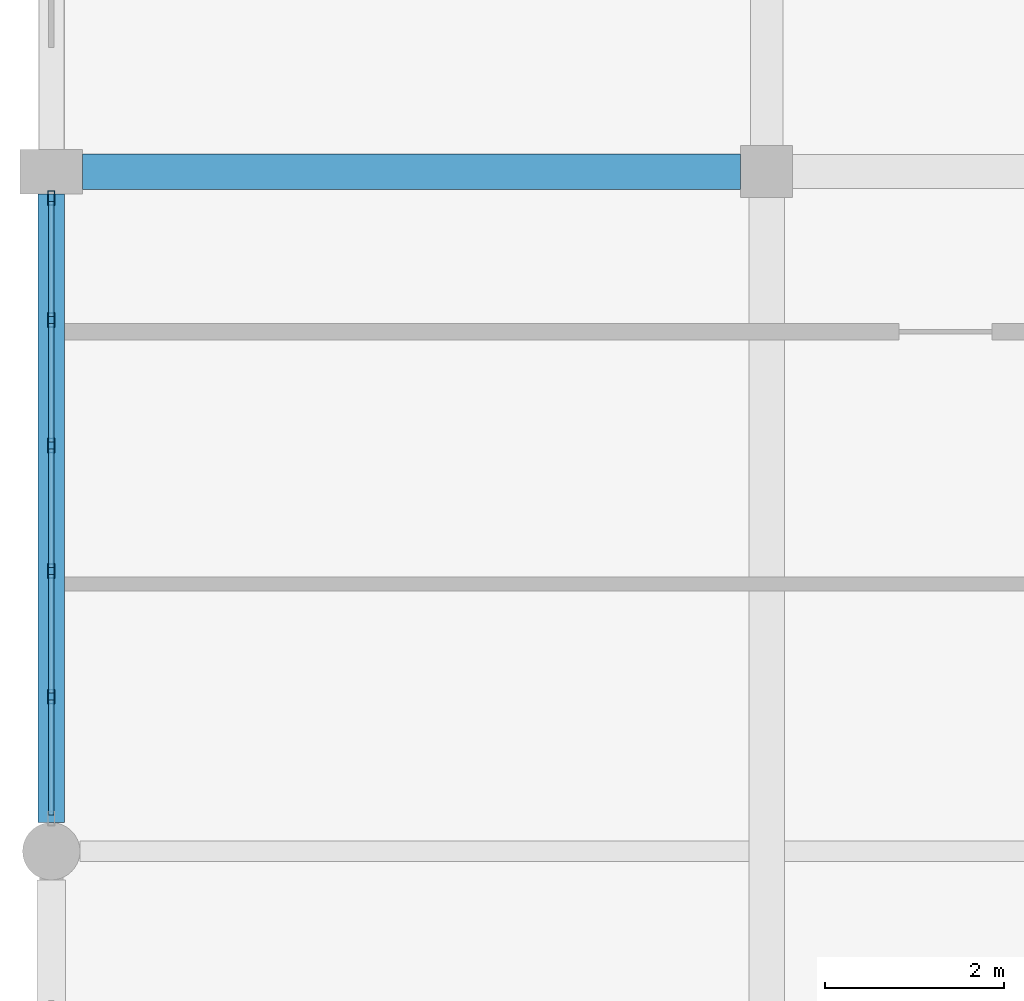
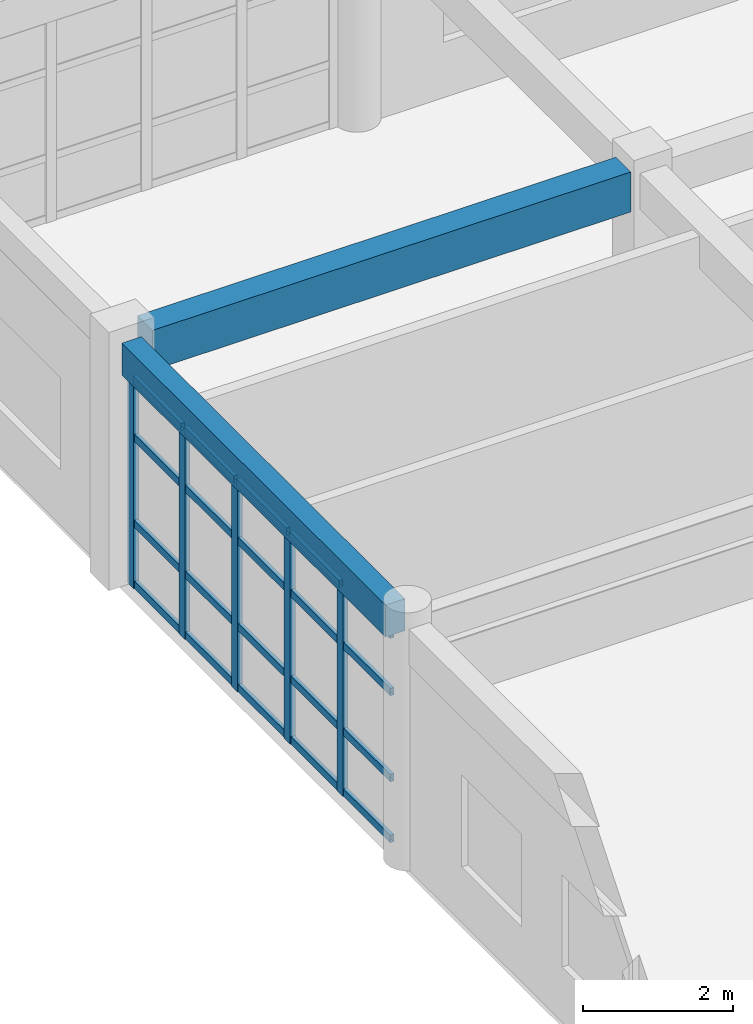
# One storey, part 13 of 121: 25 members, 2 beams, 1 element without a shape of its own.
"""IFC4 building model written with IfcOpenShell, lengths in metres."""

from ifc_helpers import new_model, si_unit, direction, frame, origin, origin_2d, place, context, subcontext, project, spatial, rectangle, hollow_rectangle, extrude, material, material_profile, profile_set, type_object, element, aggregate, save


model = new_model("IFC4")

# Units and contexts
model_context = context("Model", 3, precision=1e-05, world=origin(), true_north=direction((0.0, 1.0)))
body_context = subcontext(model_context, "Body", "Model", "MODEL_VIEW")
ifc_project = project(units=[si_unit("LENGTHUNIT", "METRE"), si_unit("AREAUNIT", "SQUARE_METRE"), si_unit("VOLUMEUNIT", "CUBIC_METRE"), si_unit("PLANEANGLEUNIT", "RADIAN"), si_unit("MASSUNIT", "GRAM", prefix="KILO")], contexts=[model_context])

# Site, building, storey
site_placement = place(None, origin())
site = spatial("IfcSite", under=ifc_project, at=site_placement, CompositionType="ELEMENT")
building_placement = place(site_placement, origin())
building = spatial("IfcBuilding", under=site, at=building_placement, Name="Kharva Crest Polytechnic", CompositionType="ELEMENT")
storey_placement = place(building_placement, frame((0.0, 0.0, 13.199951171875)))
storey = spatial("IfcBuildingStorey", under=building, at=storey_placement, Name="L03", CompositionType="ELEMENT", Elevation=13.199951171875)

# Beam
ifc_material_1 = material(Name="Concrete C35/45", Category="concrete")
ifc_material_profile_1 = material_profile(ifc_material_1, rectangle(XDim=0.39990234375, YDim=0.64990234375, at=origin_2d()), Name="RECT 400 X 650")
ifc_profile_set_1 = profile_set([ifc_material_profile_1], Name="Concrete C35/45")
beam_type_1 = type_object("IfcBeamType", Name="BM-RC-400X650", PredefinedType="BEAM", material=ifc_profile_set_1)
beam_1_placement = place(storey_placement, frame((0.35009765625, 22.800048828125, 3.635009765625), z_axis=(1.0, 0.0, 0.0), x_axis=(0.0, 1.0, 0.0)))
element("IfcBeam", 1, at=beam_1_placement, inside=storey, type_object=beam_type_1, Name="L03 Beam D/1-2", PredefinedType="BEAM", context=body_context, shape_type="SweptSolid", body=[
    extrude(rectangle(XDim=0.39990234375, YDim=0.64990234375, at=origin_2d()), origin(), (0.0, 0.0, 1.0), 7.35986328125),
])

# Curtain wall, members
ifc_material_2 = material(Name="Tempered insulated glass", Category="glass")
curtain_wall_type = type_object("IfcCurtainWallType", Name="CW-SYS-COURT", PredefinedType="USERDEFINED", material=ifc_material_2)
curtain_wall_placement = place(storey_placement, origin())
curtain_wall = element("IfcCurtainWall", 2, at=curtain_wall_placement, inside=storey, type_object=curtain_wall_type, Name="L03 Glazed Curtain Wall CW-133", ObjectType="CURTAIN WALL", PredefinedType="USERDEFINED")
ifc_material_3 = material(Name="Steel S355", Category="steel")
ifc_material_profile_2 = material_profile(ifc_material_3, hollow_rectangle(XDim=0.080078125, YDim=0.159912109375, WallThickness=0.0048828125, at=origin_2d()), Name="RHS 160X80X5.0")
ifc_profile_set_2 = profile_set([ifc_material_profile_2], Name="Steel S355")
member_type_1 = type_object("IfcMemberType", Name="CWM-RHS160X80", PredefinedType="MULLION", material=ifc_profile_set_2)
member_1_placement = place(storey_placement, frame((0.0, 22.5048828125, 0.0), z_axis=(0.0, 0.0, 1.0), x_axis=(1.0, 0.0, 0.0)))
member_1 = element("IfcMember", 3, at=member_1_placement, type_object=member_type_1, Name="CW-133 mullion 1", PredefinedType="MULLION", context=body_context, shape_type="SweptSolid", body=[
    extrude(hollow_rectangle(XDim=0.080078125, YDim=0.159912109375, WallThickness=0.0048828125, at=origin_2d()), origin(), (0.0, 0.0, 1.0), 3.43994140625),
])
member_2_placement = place(storey_placement, frame((0.0, 21.14111328125, 0.0), z_axis=(0.0, 0.0, 1.0), x_axis=(1.0, 0.0, 0.0)))
member_2 = element("IfcMember", 4, at=member_2_placement, type_object=member_type_1, Name="CW-133 mullion 2", PredefinedType="MULLION", context=body_context, shape_type="SweptSolid", body=[
    extrude(hollow_rectangle(XDim=0.080078125, YDim=0.159912109375, WallThickness=0.0048828125, at=origin_2d()), origin(), (0.0, 0.0, 1.0), 3.43994140625),
])
member_3_placement = place(storey_placement, frame((0.0, 19.737060546875, 0.0), z_axis=(0.0, 0.0, 1.0), x_axis=(1.0, 0.0, 0.0)))
member_3 = element("IfcMember", 5, at=member_3_placement, type_object=member_type_1, Name="CW-133 mullion 3", PredefinedType="MULLION", context=body_context, shape_type="SweptSolid", body=[
    extrude(hollow_rectangle(XDim=0.080078125, YDim=0.159912109375, WallThickness=0.0048828125, at=origin_2d()), origin(), (0.0, 0.0, 1.0), 3.43994140625),
])
member_4_placement = place(storey_placement, frame((0.0, 18.3330078125, 0.0), z_axis=(0.0, 0.0, 1.0), x_axis=(1.0, 0.0, 0.0)))
member_4 = element("IfcMember", 6, at=member_4_placement, type_object=member_type_1, Name="CW-133 mullion 4", PredefinedType="MULLION", context=body_context, shape_type="SweptSolid", body=[
    extrude(hollow_rectangle(XDim=0.080078125, YDim=0.159912109375, WallThickness=0.0048828125, at=origin_2d()), origin(), (0.0, 0.0, 1.0), 3.43994140625),
])
member_5_placement = place(storey_placement, frame((0.0, 16.928955078125, 0.0), z_axis=(0.0, 0.0, 1.0), x_axis=(1.0, 0.0, 0.0)))
member_5 = element("IfcMember", 7, at=member_5_placement, type_object=member_type_1, Name="CW-133 mullion 5", PredefinedType="MULLION", context=body_context, shape_type="SweptSolid", body=[
    extrude(hollow_rectangle(XDim=0.080078125, YDim=0.159912109375, WallThickness=0.0048828125, at=origin_2d()), origin(), (0.0, 0.0, 1.0), 3.43994140625),
])
ifc_material_profile_3 = material_profile(ifc_material_3, hollow_rectangle(XDim=0.06005859375, YDim=0.1201171875, WallThickness=0.00390625, at=origin_2d()), Name="RHS 120X60X4.0")
ifc_profile_set_3 = profile_set([ifc_material_profile_3], Name="Steel S355")
member_type_2 = type_object("IfcMemberType", Name="CWT-RHS120X60", PredefinedType="USERDEFINED", material=ifc_profile_set_3)
member_6_placement = place(storey_placement, frame((0.0, 22.465087890625, 0.06005859375), z_axis=(0.0, -1.0, 0.0), x_axis=(1.0, 0.0, 0.0)))
member_6 = element("IfcMember", 8, at=member_6_placement, type_object=member_type_2, Name="CW-133 transom 1.1", ObjectType="TRANSOM", PredefinedType="USERDEFINED", context=body_context, shape_type="SweptSolid", body=[
    extrude(hollow_rectangle(XDim=0.06005859375, YDim=0.1201171875, WallThickness=0.00390625, at=origin_2d()), origin(), (0.0, 0.0, 1.0), 1.2841796875),
])
member_7_placement = place(storey_placement, frame((0.0, 22.465087890625, 1.050048828125), z_axis=(0.0, -1.0, 0.0), x_axis=(1.0, 0.0, 0.0)))
member_7 = element("IfcMember", 9, at=member_7_placement, type_object=member_type_2, Name="CW-133 transom 1.2", ObjectType="TRANSOM", PredefinedType="USERDEFINED", context=body_context, shape_type="SweptSolid", body=[
    extrude(hollow_rectangle(XDim=0.06005859375, YDim=0.1201171875, WallThickness=0.00390625, at=origin_2d()), origin(), (0.0, 0.0, 1.0), 1.2841796875),
])
member_8_placement = place(storey_placement, frame((0.0, 22.465087890625, 2.449951171875), z_axis=(0.0, -1.0, 0.0), x_axis=(1.0, 0.0, 0.0)))
member_8 = element("IfcMember", 10, at=member_8_placement, type_object=member_type_2, Name="CW-133 transom 1.3", ObjectType="TRANSOM", PredefinedType="USERDEFINED", context=body_context, shape_type="SweptSolid", body=[
    extrude(hollow_rectangle(XDim=0.06005859375, YDim=0.1201171875, WallThickness=0.00390625, at=origin_2d()), origin(), (0.0, 0.0, 1.0), 1.2841796875),
])
member_9_placement = place(storey_placement, frame((0.0, 22.465087890625, 3.380126953125), z_axis=(0.0, -1.0, 0.0), x_axis=(1.0, 0.0, 0.0)))
member_9 = element("IfcMember", 11, at=member_9_placement, type_object=member_type_2, Name="CW-133 transom 1.4", ObjectType="TRANSOM", PredefinedType="USERDEFINED", context=body_context, shape_type="SweptSolid", body=[
    extrude(hollow_rectangle(XDim=0.06005859375, YDim=0.1201171875, WallThickness=0.00390625, at=origin_2d()), origin(), (0.0, 0.0, 1.0), 1.2841796875),
])
member_10_placement = place(storey_placement, frame((0.0, 21.10107421875, 0.06005859375), z_axis=(0.0, -1.0, 0.0), x_axis=(1.0, 0.0, 0.0)))
member_10 = element("IfcMember", 12, at=member_10_placement, type_object=member_type_2, Name="CW-133 transom 2.1", ObjectType="TRANSOM", PredefinedType="USERDEFINED", context=body_context, shape_type="SweptSolid", body=[
    extrude(hollow_rectangle(XDim=0.06005859375, YDim=0.1201171875, WallThickness=0.00390625, at=origin_2d()), origin(), (0.0, 0.0, 1.0), 1.323974609375),
])
member_11_placement = place(storey_placement, frame((0.0, 21.10107421875, 1.050048828125), z_axis=(0.0, -1.0, 0.0), x_axis=(1.0, 0.0, 0.0)))
member_11 = element("IfcMember", 13, at=member_11_placement, type_object=member_type_2, Name="CW-133 transom 2.2", ObjectType="TRANSOM", PredefinedType="USERDEFINED", context=body_context, shape_type="SweptSolid", body=[
    extrude(hollow_rectangle(XDim=0.06005859375, YDim=0.1201171875, WallThickness=0.00390625, at=origin_2d()), origin(), (0.0, 0.0, 1.0), 1.323974609375),
])
member_12_placement = place(storey_placement, frame((0.0, 21.10107421875, 2.449951171875), z_axis=(0.0, -1.0, 0.0), x_axis=(1.0, 0.0, 0.0)))
member_12 = element("IfcMember", 14, at=member_12_placement, type_object=member_type_2, Name="CW-133 transom 2.3", ObjectType="TRANSOM", PredefinedType="USERDEFINED", context=body_context, shape_type="SweptSolid", body=[
    extrude(hollow_rectangle(XDim=0.06005859375, YDim=0.1201171875, WallThickness=0.00390625, at=origin_2d()), origin(), (0.0, 0.0, 1.0), 1.323974609375),
])
member_13_placement = place(storey_placement, frame((0.0, 21.10107421875, 3.380126953125), z_axis=(0.0, -1.0, 0.0), x_axis=(1.0, 0.0, 0.0)))
member_13 = element("IfcMember", 15, at=member_13_placement, type_object=member_type_2, Name="CW-133 transom 2.4", ObjectType="TRANSOM", PredefinedType="USERDEFINED", context=body_context, shape_type="SweptSolid", body=[
    extrude(hollow_rectangle(XDim=0.06005859375, YDim=0.1201171875, WallThickness=0.00390625, at=origin_2d()), origin(), (0.0, 0.0, 1.0), 1.323974609375),
])
member_14_placement = place(storey_placement, frame((0.0, 19.697021484375, 0.06005859375), z_axis=(0.0, -1.0, 0.0), x_axis=(1.0, 0.0, 0.0)))
member_14 = element("IfcMember", 16, at=member_14_placement, type_object=member_type_2, Name="CW-133 transom 3.1", ObjectType="TRANSOM", PredefinedType="USERDEFINED", context=body_context, shape_type="SweptSolid", body=[
    extrude(hollow_rectangle(XDim=0.06005859375, YDim=0.1201171875, WallThickness=0.00390625, at=origin_2d()), origin(), (0.0, 0.0, 1.0), 1.323974609375),
])
member_15_placement = place(storey_placement, frame((0.0, 19.697021484375, 1.050048828125), z_axis=(0.0, -1.0, 0.0), x_axis=(1.0, 0.0, 0.0)))
member_15 = element("IfcMember", 17, at=member_15_placement, type_object=member_type_2, Name="CW-133 transom 3.2", ObjectType="TRANSOM", PredefinedType="USERDEFINED", context=body_context, shape_type="SweptSolid", body=[
    extrude(hollow_rectangle(XDim=0.06005859375, YDim=0.1201171875, WallThickness=0.00390625, at=origin_2d()), origin(), (0.0, 0.0, 1.0), 1.323974609375),
])
member_16_placement = place(storey_placement, frame((0.0, 19.697021484375, 2.449951171875), z_axis=(0.0, -1.0, 0.0), x_axis=(1.0, 0.0, 0.0)))
member_16 = element("IfcMember", 18, at=member_16_placement, type_object=member_type_2, Name="CW-133 transom 3.3", ObjectType="TRANSOM", PredefinedType="USERDEFINED", context=body_context, shape_type="SweptSolid", body=[
    extrude(hollow_rectangle(XDim=0.06005859375, YDim=0.1201171875, WallThickness=0.00390625, at=origin_2d()), origin(), (0.0, 0.0, 1.0), 1.323974609375),
])
member_17_placement = place(storey_placement, frame((0.0, 19.697021484375, 3.380126953125), z_axis=(0.0, -1.0, 0.0), x_axis=(1.0, 0.0, 0.0)))
member_17 = element("IfcMember", 19, at=member_17_placement, type_object=member_type_2, Name="CW-133 transom 3.4", ObjectType="TRANSOM", PredefinedType="USERDEFINED", context=body_context, shape_type="SweptSolid", body=[
    extrude(hollow_rectangle(XDim=0.06005859375, YDim=0.1201171875, WallThickness=0.00390625, at=origin_2d()), origin(), (0.0, 0.0, 1.0), 1.323974609375),
])
member_18_placement = place(storey_placement, frame((0.0, 18.29296875, 0.06005859375), z_axis=(0.0, -1.0, 0.0), x_axis=(1.0, 0.0, 0.0)))
member_18 = element("IfcMember", 20, at=member_18_placement, type_object=member_type_2, Name="CW-133 transom 4.1", ObjectType="TRANSOM", PredefinedType="USERDEFINED", context=body_context, shape_type="SweptSolid", body=[
    extrude(hollow_rectangle(XDim=0.06005859375, YDim=0.1201171875, WallThickness=0.00390625, at=origin_2d()), origin(), (0.0, 0.0, 1.0), 1.323974609375),
])
member_19_placement = place(storey_placement, frame((0.0, 18.29296875, 1.050048828125), z_axis=(0.0, -1.0, 0.0), x_axis=(1.0, 0.0, 0.0)))
member_19 = element("IfcMember", 21, at=member_19_placement, type_object=member_type_2, Name="CW-133 transom 4.2", ObjectType="TRANSOM", PredefinedType="USERDEFINED", context=body_context, shape_type="SweptSolid", body=[
    extrude(hollow_rectangle(XDim=0.06005859375, YDim=0.1201171875, WallThickness=0.00390625, at=origin_2d()), origin(), (0.0, 0.0, 1.0), 1.323974609375),
])
member_20_placement = place(storey_placement, frame((0.0, 18.29296875, 2.449951171875), z_axis=(0.0, -1.0, 0.0), x_axis=(1.0, 0.0, 0.0)))
member_20 = element("IfcMember", 22, at=member_20_placement, type_object=member_type_2, Name="CW-133 transom 4.3", ObjectType="TRANSOM", PredefinedType="USERDEFINED", context=body_context, shape_type="SweptSolid", body=[
    extrude(hollow_rectangle(XDim=0.06005859375, YDim=0.1201171875, WallThickness=0.00390625, at=origin_2d()), origin(), (0.0, 0.0, 1.0), 1.323974609375),
])
member_21_placement = place(storey_placement, frame((0.0, 18.29296875, 3.380126953125), z_axis=(0.0, -1.0, 0.0), x_axis=(1.0, 0.0, 0.0)))
member_21 = element("IfcMember", 23, at=member_21_placement, type_object=member_type_2, Name="CW-133 transom 4.4", ObjectType="TRANSOM", PredefinedType="USERDEFINED", context=body_context, shape_type="SweptSolid", body=[
    extrude(hollow_rectangle(XDim=0.06005859375, YDim=0.1201171875, WallThickness=0.00390625, at=origin_2d()), origin(), (0.0, 0.0, 1.0), 1.323974609375),
])
member_22_placement = place(storey_placement, frame((0.0, 16.888916015625, 0.06005859375), z_axis=(0.0, -1.0, 0.0), x_axis=(1.0, 0.0, 0.0)))
member_22 = element("IfcMember", 24, at=member_22_placement, type_object=member_type_2, Name="CW-133 transom 5.1", ObjectType="TRANSOM", PredefinedType="USERDEFINED", context=body_context, shape_type="SweptSolid", body=[
    extrude(hollow_rectangle(XDim=0.06005859375, YDim=0.1201171875, WallThickness=0.00390625, at=origin_2d()), origin(), (0.0, 0.0, 1.0), 1.283935546875),
])
member_23_placement = place(storey_placement, frame((0.0, 16.888916015625, 1.050048828125), z_axis=(0.0, -1.0, 0.0), x_axis=(1.0, 0.0, 0.0)))
member_23 = element("IfcMember", 25, at=member_23_placement, type_object=member_type_2, Name="CW-133 transom 5.2", ObjectType="TRANSOM", PredefinedType="USERDEFINED", context=body_context, shape_type="SweptSolid", body=[
    extrude(hollow_rectangle(XDim=0.06005859375, YDim=0.1201171875, WallThickness=0.00390625, at=origin_2d()), origin(), (0.0, 0.0, 1.0), 1.283935546875),
])
member_24_placement = place(storey_placement, frame((0.0, 16.888916015625, 2.449951171875), z_axis=(0.0, -1.0, 0.0), x_axis=(1.0, 0.0, 0.0)))
member_24 = element("IfcMember", 26, at=member_24_placement, type_object=member_type_2, Name="CW-133 transom 5.3", ObjectType="TRANSOM", PredefinedType="USERDEFINED", context=body_context, shape_type="SweptSolid", body=[
    extrude(hollow_rectangle(XDim=0.06005859375, YDim=0.1201171875, WallThickness=0.00390625, at=origin_2d()), origin(), (0.0, 0.0, 1.0), 1.283935546875),
])
member_25_placement = place(storey_placement, frame((0.0, 16.888916015625, 3.380126953125), z_axis=(0.0, -1.0, 0.0), x_axis=(1.0, 0.0, 0.0)))
member_25 = element("IfcMember", 27, at=member_25_placement, type_object=member_type_2, Name="CW-133 transom 5.4", ObjectType="TRANSOM", PredefinedType="USERDEFINED", context=body_context, shape_type="SweptSolid", body=[
    extrude(hollow_rectangle(XDim=0.06005859375, YDim=0.1201171875, WallThickness=0.00390625, at=origin_2d()), origin(), (0.0, 0.0, 1.0), 1.283935546875),
])
aggregate(curtain_wall, [member_1, member_2, member_3, member_4, member_5, member_6, member_7, member_8, member_9, member_10, member_11, member_12, member_13, member_14, member_15, member_16, member_17, member_18, member_19, member_20, member_21, member_22, member_23, member_24, member_25])

# Beam
ifc_material_profile_4 = material_profile(ifc_material_1, rectangle(XDim=0.300048828125, YDim=0.52001953125, at=origin_2d()), Name="RECT 300 X 520")
ifc_profile_set_4 = profile_set([ifc_material_profile_4], Name="Concrete C35/45")
beam_type_2 = type_object("IfcBeamType", Name="SP-RC-300X520", PredefinedType="SPANDREL", material=ifc_profile_set_4)
beam_2_placement = place(storey_placement, frame((0.0, 15.52001953125, 3.699951171875), z_axis=(0.0, 1.0, 0.0), x_axis=(-1.0, 0.0, 0.0)))
element("IfcBeam", 28, at=beam_2_placement, inside=storey, type_object=beam_type_2, Name="L03 Girder 1/C-D", PredefinedType="SPANDREL", context=body_context, shape_type="SweptSolid", body=[
    extrude(rectangle(XDim=0.300048828125, YDim=0.52001953125, at=origin_2d()), origin(), (0.0, 0.0, 1.0), 7.030029296875),
])

save(model, "model.ifc")
